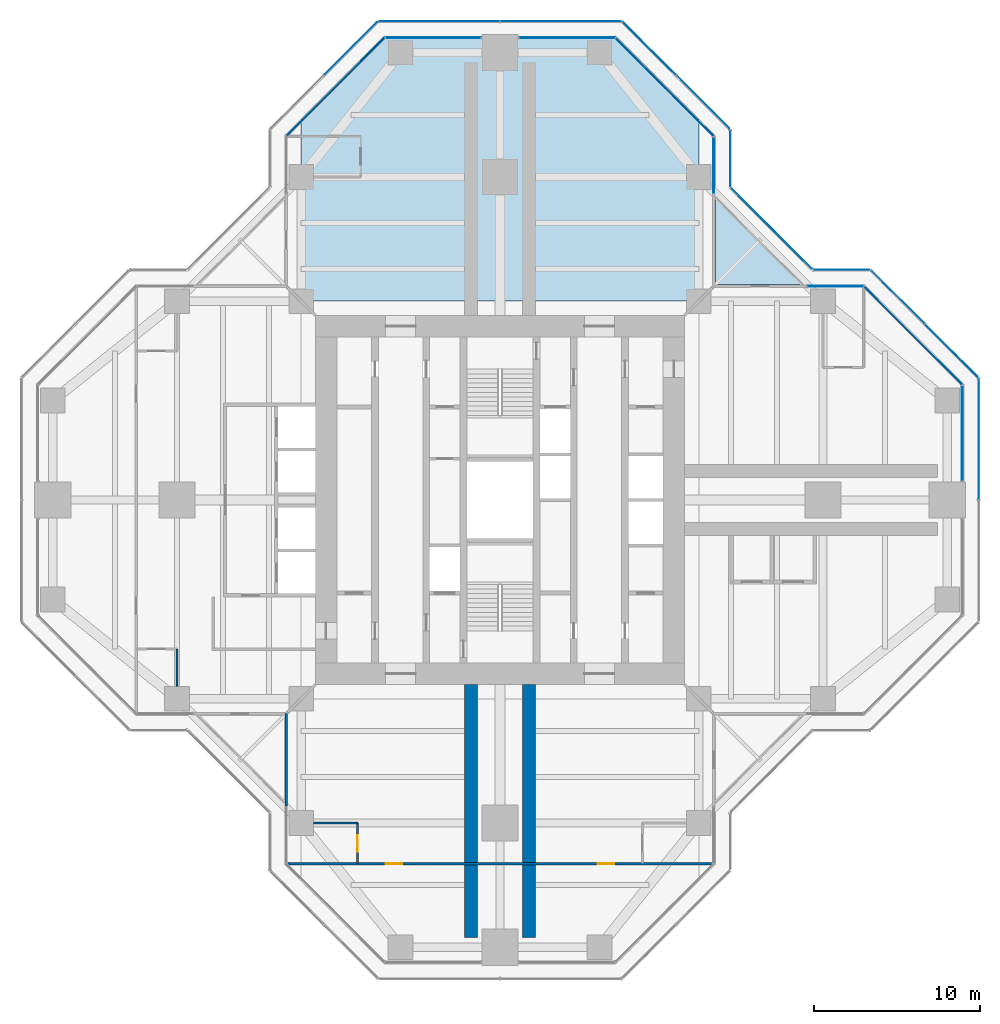
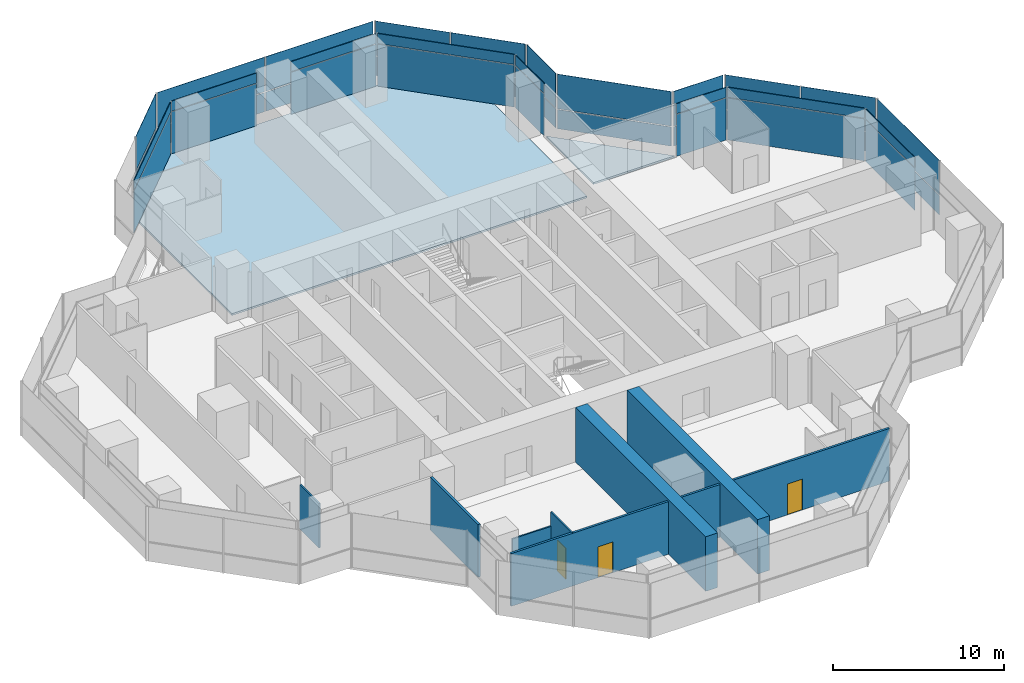
# One storey, part 12 of 17: 38 plates, 7 walls, 3 doors, 2 slabs, 3 openings, 16 elements without a shape of their own.
"""IFC4 building model written with IfcOpenShell, lengths in metres."""

from ifc_helpers import new_model, si_unit, direction, frame, frame_2d, origin, origin_2d, place, context, subcontext, project, spatial, polyline, rectangle, outline, extrude, material, layer, layer_set, type_object, element, fill, aggregate, save


model = new_model("IFC4")

# Units and contexts
model_context = context("Model", 3, precision=1e-05, world=origin(), true_north=direction((0.0, 1.0)))
body_context = subcontext(model_context, "Body", "Model", "MODEL_VIEW")
ifc_project = project(units=[si_unit("LENGTHUNIT", "METRE"), si_unit("AREAUNIT", "SQUARE_METRE"), si_unit("VOLUMEUNIT", "CUBIC_METRE"), si_unit("PLANEANGLEUNIT", "RADIAN"), si_unit("MASSUNIT", "GRAM", prefix="KILO")], contexts=[model_context])

# Site, building, storey
site_placement = place(None, origin())
site = spatial("IfcSite", under=ifc_project, at=site_placement, CompositionType="ELEMENT")
building_placement = place(site_placement, origin())
building = spatial("IfcBuilding", under=site, at=building_placement, Name="Mizan Broadcast Tower", CompositionType="ELEMENT")
storey_placement = place(building_placement, frame((0.0, 0.0, 247.800048828125)))
storey = spatial("IfcBuildingStorey", under=building, at=storey_placement, Name="L58", CompositionType="ELEMENT", Elevation=247.800048828125)

# Slab
ifc_material_1 = material(Name="Concrete C32/40", Category="concrete")
ifc_layer_1 = layer(ifc_material_1, 0.1298828125)
ifc_layer_set_1 = layer_set([ifc_layer_1], Name="Concrete C32/40")
slab_type_1 = type_object("IfcSlabType", Name="COMPOSITE DECK SLAB 130", PredefinedType="FLOOR", material=ifc_layer_set_1)
slab_1_placement = place(storey_placement, frame((0.0, 0.0, -0.130126953125)))
element("IfcSlab", 1, at=slab_1_placement, inside=storey, type_object=slab_type_1, Name="Floor slab L58 north arm", PredefinedType="FLOOR", context=body_context, shape_type="SweptSolid", body=[
    extrude(outline(polyline([(-7.0, 28.0), (-12.0, 23.0), (-12.0, 12.0), (12.0, 12.0), (12.0, 23.0), (7.0, 28.0), (-7.0, 28.0)])), origin(), (0.0, 0.0, 1.0), 0.130126953125),
])

# Curtain wall, plate
ifc_material_2 = material(Name="Aluminium framed glazing", Category="aluminium")
curtain_wall_type_1 = type_object("IfcCurtainWallType", Name="INNER SKIN HIGH ZONE", PredefinedType="USERDEFINED", material=ifc_material_2)
curtain_wall_1_placement = place(storey_placement, origin())
curtain_wall_1 = element("IfcCurtainWall", 2, at=curtain_wall_1_placement, inside=storey, type_object=curtain_wall_type_1, Name="Inner skin high zone L58 E end", ObjectType="INNER SKIN HIGH ZONE", PredefinedType="USERDEFINED")
ifc_material_3 = material(Name="Double glazing, clear low-e", Category="glass")
ifc_layer_2 = layer(ifc_material_3, 0.028076171875)
ifc_layer_set_2 = layer_set([ifc_layer_2], Name="Double glazing, clear low-e")
plate_type_1 = type_object("IfcPlateType", Name="INNER SKIN GLAZING UNIT", PredefinedType="CURTAIN_PANEL", material=ifc_layer_set_2)
plate_1_placement = place(storey_placement, frame((27.89990234375, 4.029296875, 0.0), z_axis=(0.0, 0.0, 1.0), x_axis=(0.0, 1.0, 0.0)))
plate_1 = element("IfcPlate", 3, at=plate_1_placement, type_object=plate_type_1, Name="Inner skin high zone L58 E end panel 1.1", PredefinedType="CURTAIN_PANEL", context=body_context, shape_type="SweptSolid", body=[
    extrude(rectangle(XDim=5.738525390625, YDim=0.028076171875, at=origin_2d()), origin(), (0.0, 0.0, 1.0), 3.0),
])

curtain_wall_2_placement = place(storey_placement, origin())
curtain_wall_2 = element("IfcCurtainWall", 4, at=curtain_wall_2_placement, inside=storey, type_object=curtain_wall_type_1, Name="Inner skin high zone L58 E chamfer", ObjectType="INNER SKIN HIGH ZONE", PredefinedType="USERDEFINED")
plate_2_placement = place(storey_placement, frame((24.92919921875, 9.92919921875, 0.0), z_axis=(0.0, 0.0, 1.0), x_axis=(-0.707106781187, 0.707106781187, 0.0)))
plate_2 = element("IfcPlate", 5, at=plate_2_placement, type_object=plate_type_1, Name="Inner skin high zone L58 E chamfer panel 1.1", PredefinedType="CURTAIN_PANEL", context=body_context, shape_type="SweptSolid", body=[
    extrude(rectangle(XDim=8.282470703125, YDim=0.028076171875, at=origin_2d()), origin(), (0.0, 0.0, 1.0), 3.0),
])

curtain_wall_3_placement = place(storey_placement, origin())
curtain_wall_3 = element("IfcCurtainWall", 6, at=curtain_wall_3_placement, inside=storey, type_object=curtain_wall_type_1, Name="Inner skin high zone L58 E side", ObjectType="INNER SKIN HIGH ZONE", PredefinedType="USERDEFINED")
plate_3_placement = place(storey_placement, frame((20.229248046875, 12.89990234375, 0.0), z_axis=(0.0, 0.0, 1.0), x_axis=(-1.0, 0.0, 0.0)))
plate_3 = element("IfcPlate", 7, at=plate_3_placement, type_object=plate_type_1, Name="Inner skin high zone L58 E side panel 1.1", PredefinedType="CURTAIN_PANEL", context=body_context, shape_type="SweptSolid", body=[
    extrude(rectangle(XDim=3.338623046875, YDim=0.028076171875, at=origin_2d()), origin(), (0.0, 0.0, 1.0), 3.0),
])

curtain_wall_4_placement = place(storey_placement, origin())
curtain_wall_4 = element("IfcCurtainWall", 8, at=curtain_wall_4_placement, inside=storey, type_object=curtain_wall_type_1, Name="Inner skin high zone L58 N side", ObjectType="INNER SKIN HIGH ZONE", PredefinedType="USERDEFINED")
plate_4_placement = place(storey_placement, frame((12.89990234375, 20.229248046875, 0.0), z_axis=(0.0, 0.0, 1.0), x_axis=(0.0, 1.0, 0.0)))
plate_4 = element("IfcPlate", 9, at=plate_4_placement, type_object=plate_type_1, Name="Inner skin high zone L58 N side panel 1.1", PredefinedType="CURTAIN_PANEL", context=body_context, shape_type="SweptSolid", body=[
    extrude(rectangle(XDim=3.338623046875, YDim=0.028076171875, at=origin_2d()), origin(), (0.0, 0.0, 1.0), 3.0),
])

curtain_wall_5_placement = place(storey_placement, origin())
curtain_wall_5 = element("IfcCurtainWall", 10, at=curtain_wall_5_placement, inside=storey, type_object=curtain_wall_type_1, Name="Inner skin high zone L58 N chamfer", ObjectType="INNER SKIN HIGH ZONE", PredefinedType="USERDEFINED")
plate_5_placement = place(storey_placement, frame((9.92919921875, 24.92919921875, 0.0), z_axis=(0.0, 0.0, 1.0), x_axis=(-0.707106781187, 0.707106781187, 0.0)))
plate_5 = element("IfcPlate", 11, at=plate_5_placement, type_object=plate_type_1, Name="Inner skin high zone L58 N chamfer panel 1.1", PredefinedType="CURTAIN_PANEL", context=body_context, shape_type="SweptSolid", body=[
    extrude(rectangle(XDim=8.282470703125, YDim=0.028076171875, at=origin_2d()), origin(), (0.0, 0.0, 1.0), 3.0),
])

curtain_wall_6_placement = place(storey_placement, origin())
curtain_wall_6 = element("IfcCurtainWall", 12, at=curtain_wall_6_placement, inside=storey, type_object=curtain_wall_type_1, Name="Inner skin high zone L58 N end", ObjectType="INNER SKIN HIGH ZONE", PredefinedType="USERDEFINED")
plate_6_placement = place(storey_placement, frame((4.029296875, 27.89990234375, 0.0), z_axis=(0.0, 0.0, 1.0), x_axis=(-1.0, 0.0, 0.0)))
plate_6 = element("IfcPlate", 13, at=plate_6_placement, type_object=plate_type_1, Name="Inner skin high zone L58 N end panel 1.1", PredefinedType="CURTAIN_PANEL", context=body_context, shape_type="SweptSolid", body=[
    extrude(rectangle(XDim=5.738525390625, YDim=0.028076171875, at=origin_2d()), origin(), (0.0, 0.0, 1.0), 3.0),
])

curtain_wall_7_placement = place(storey_placement, origin())
curtain_wall_7 = element("IfcCurtainWall", 14, at=curtain_wall_7_placement, inside=storey, type_object=curtain_wall_type_1, Name="Inner skin high zone L58 N end", ObjectType="INNER SKIN HIGH ZONE", PredefinedType="USERDEFINED")
plate_7_placement = place(storey_placement, frame((-4.029296875, 27.89990234375, 0.0), z_axis=(0.0, 0.0, 1.0), x_axis=(-1.0, 0.0, 0.0)))
plate_7 = element("IfcPlate", 15, at=plate_7_placement, type_object=plate_type_1, Name="Inner skin high zone L58 N end panel 1.1", PredefinedType="CURTAIN_PANEL", context=body_context, shape_type="SweptSolid", body=[
    extrude(rectangle(XDim=5.738525390625, YDim=0.028076171875, at=origin_2d()), origin(), (0.0, 0.0, 1.0), 3.0),
])

curtain_wall_8_placement = place(storey_placement, origin())
curtain_wall_8 = element("IfcCurtainWall", 16, at=curtain_wall_8_placement, inside=storey, type_object=curtain_wall_type_1, Name="Inner skin high zone L58 N chamfer", ObjectType="INNER SKIN HIGH ZONE", PredefinedType="USERDEFINED")
plate_8_placement = place(storey_placement, frame((-9.92919921875, 24.92919921875, 0.0), z_axis=(0.0, 0.0, 1.0), x_axis=(-0.707106781187, -0.707106781187, 0.0)))
plate_8 = element("IfcPlate", 17, at=plate_8_placement, type_object=plate_type_1, Name="Inner skin high zone L58 N chamfer panel 1.1", PredefinedType="CURTAIN_PANEL", context=body_context, shape_type="SweptSolid", body=[
    extrude(rectangle(XDim=8.282470703125, YDim=0.028076171875, at=origin_2d()), origin(), (0.0, 0.0, 1.0), 3.0),
])

# Plate
ifc_material_4 = material(Name="Insulated aluminium spandrel panel, pale anodised", Category="aluminium")
ifc_layer_3 = layer(ifc_material_4, 0.050048828125)
ifc_layer_set_3 = layer_set([ifc_layer_3], Name="Insulated aluminium spandrel panel, pale anodised")
plate_type_2 = type_object("IfcPlateType", Name="INNER SKIN SPANDREL PANEL", PredefinedType="CURTAIN_PANEL", material=ifc_layer_set_3)
plate_9_placement = place(storey_placement, frame((27.89990234375, 4.029296875, 3.06005859375), z_axis=(0.0, 0.0, 1.0), x_axis=(0.0, 1.0, 0.0)))
plate_9 = element("IfcPlate", 18, at=plate_9_placement, type_object=plate_type_2, Name="Inner skin high zone L58 E end panel 1.2", PredefinedType="CURTAIN_PANEL", context=body_context, shape_type="SweptSolid", body=[
    extrude(rectangle(XDim=5.738525390625, YDim=0.050048828125, at=origin_2d()), origin(), (0.0, 0.0, 1.0), 0.7099609375),
])

aggregate(curtain_wall_1, [plate_1, plate_9])

plate_10_placement = place(storey_placement, frame((24.92919921875, 9.92919921875, 3.06005859375), z_axis=(0.0, 0.0, 1.0), x_axis=(-0.707106781187, 0.707106781187, 0.0)))
plate_10 = element("IfcPlate", 19, at=plate_10_placement, type_object=plate_type_2, Name="Inner skin high zone L58 E chamfer panel 1.2", PredefinedType="CURTAIN_PANEL", context=body_context, shape_type="SweptSolid", body=[
    extrude(rectangle(XDim=8.282470703125, YDim=0.050048828125, at=origin_2d()), origin(), (0.0, 0.0, 1.0), 0.7099609375),
])

aggregate(curtain_wall_2, [plate_2, plate_10])

plate_11_placement = place(storey_placement, frame((20.229248046875, 12.89990234375, 3.06005859375), z_axis=(0.0, 0.0, 1.0), x_axis=(-1.0, 0.0, 0.0)))
plate_11 = element("IfcPlate", 20, at=plate_11_placement, type_object=plate_type_2, Name="Inner skin high zone L58 E side panel 1.2", PredefinedType="CURTAIN_PANEL", context=body_context, shape_type="SweptSolid", body=[
    extrude(rectangle(XDim=3.338623046875, YDim=0.050048828125, at=origin_2d()), origin(), (0.0, 0.0, 1.0), 0.7099609375),
])

aggregate(curtain_wall_3, [plate_3, plate_11])

plate_12_placement = place(storey_placement, frame((12.89990234375, 20.229248046875, 3.06005859375), z_axis=(0.0, 0.0, 1.0), x_axis=(0.0, 1.0, 0.0)))
plate_12 = element("IfcPlate", 21, at=plate_12_placement, type_object=plate_type_2, Name="Inner skin high zone L58 N side panel 1.2", PredefinedType="CURTAIN_PANEL", context=body_context, shape_type="SweptSolid", body=[
    extrude(rectangle(XDim=3.338623046875, YDim=0.050048828125, at=origin_2d()), origin(), (0.0, 0.0, 1.0), 0.7099609375),
])

aggregate(curtain_wall_4, [plate_4, plate_12])

plate_13_placement = place(storey_placement, frame((9.92919921875, 24.92919921875, 3.06005859375), z_axis=(0.0, 0.0, 1.0), x_axis=(-0.707106781187, 0.707106781187, 0.0)))
plate_13 = element("IfcPlate", 22, at=plate_13_placement, type_object=plate_type_2, Name="Inner skin high zone L58 N chamfer panel 1.2", PredefinedType="CURTAIN_PANEL", context=body_context, shape_type="SweptSolid", body=[
    extrude(rectangle(XDim=8.282470703125, YDim=0.050048828125, at=origin_2d()), origin(), (0.0, 0.0, 1.0), 0.7099609375),
])

aggregate(curtain_wall_5, [plate_5, plate_13])

plate_14_placement = place(storey_placement, frame((4.029296875, 27.89990234375, 3.06005859375), z_axis=(0.0, 0.0, 1.0), x_axis=(-1.0, 0.0, 0.0)))
plate_14 = element("IfcPlate", 23, at=plate_14_placement, type_object=plate_type_2, Name="Inner skin high zone L58 N end panel 1.2", PredefinedType="CURTAIN_PANEL", context=body_context, shape_type="SweptSolid", body=[
    extrude(rectangle(XDim=5.738525390625, YDim=0.050048828125, at=origin_2d()), origin(), (0.0, 0.0, 1.0), 0.7099609375),
])

aggregate(curtain_wall_6, [plate_6, plate_14])

plate_15_placement = place(storey_placement, frame((-4.029296875, 27.89990234375, 3.06005859375), z_axis=(0.0, 0.0, 1.0), x_axis=(-1.0, 0.0, 0.0)))
plate_15 = element("IfcPlate", 24, at=plate_15_placement, type_object=plate_type_2, Name="Inner skin high zone L58 N end panel 1.2", PredefinedType="CURTAIN_PANEL", context=body_context, shape_type="SweptSolid", body=[
    extrude(rectangle(XDim=5.738525390625, YDim=0.050048828125, at=origin_2d()), origin(), (0.0, 0.0, 1.0), 0.7099609375),
])

aggregate(curtain_wall_7, [plate_7, plate_15])

plate_16_placement = place(storey_placement, frame((-9.92919921875, 24.92919921875, 3.06005859375), z_axis=(0.0, 0.0, 1.0), x_axis=(-0.707106781187, -0.707106781187, 0.0)))
plate_16 = element("IfcPlate", 25, at=plate_16_placement, type_object=plate_type_2, Name="Inner skin high zone L58 N chamfer panel 1.2", PredefinedType="CURTAIN_PANEL", context=body_context, shape_type="SweptSolid", body=[
    extrude(rectangle(XDim=8.282470703125, YDim=0.050048828125, at=origin_2d()), origin(), (0.0, 0.0, 1.0), 0.7099609375),
])

aggregate(curtain_wall_8, [plate_8, plate_16])

# Curtain wall, plates
ifc_material_5 = material(Name="Aluminium framed glazing", Category="aluminium")
curtain_wall_type_2 = type_object("IfcCurtainWallType", Name="OUTER SKIN", PredefinedType="USERDEFINED", material=ifc_material_5)
curtain_wall_9_placement = place(storey_placement, origin())
curtain_wall_9 = element("IfcCurtainWall", 26, at=curtain_wall_9_placement, inside=storey, type_object=curtain_wall_type_2, Name="Outer skin L58 E chamfer", ObjectType="OUTER SKIN", PredefinedType="USERDEFINED")
ifc_material_6 = material(Name="Laminated clear glass", Category="glass")
ifc_layer_4 = layer(ifc_material_6, 0.02001953125)
ifc_layer_set_4 = layer_set([ifc_layer_4], Name="Laminated clear glass")
plate_type_3 = type_object("IfcPlateType", Name="OUTER SKIN CLEAR GLASS", PredefinedType="CURTAIN_PANEL", material=ifc_layer_set_4)
plate_17_placement = place(storey_placement, frame((27.254150390625, 9.018798828125, 0.0), z_axis=(0.0, 0.0, 1.0), x_axis=(-0.707106781187, 0.707106781187, 0.0)))
plate_17 = element("IfcPlate", 27, at=plate_17_placement, type_object=plate_type_3, Name="Outer skin L58 E chamfer panel 1.1", PredefinedType="CURTAIN_PANEL", context=body_context, shape_type="SweptSolid", body=[
    extrude(rectangle(XDim=4.495361328125, YDim=0.02001953125, at=origin_2d()), origin(), (0.0, 0.0, 1.0), 1.3701171875),
])
plate_18_placement = place(storey_placement, frame((27.254150390625, 9.018798828125, 1.43017578125), z_axis=(0.0, 0.0, 1.0), x_axis=(-0.707106781187, 0.707106781187, 0.0)))
plate_18 = element("IfcPlate", 28, at=plate_18_placement, type_object=plate_type_3, Name="Outer skin L58 E chamfer panel 1.2", PredefinedType="CURTAIN_PANEL", context=body_context, shape_type="SweptSolid", body=[
    extrude(rectangle(XDim=4.495361328125, YDim=0.02001953125, at=origin_2d()), origin(), (0.0, 0.0, 1.0), 2.469970703125),
])

curtain_wall_10_placement = place(storey_placement, origin())
curtain_wall_10 = element("IfcCurtainWall", 29, at=curtain_wall_10_placement, inside=storey, type_object=curtain_wall_type_2, Name="Outer skin L58 E side", ObjectType="OUTER SKIN", PredefinedType="USERDEFINED")
plate_19_placement = place(storey_placement, frame((20.622802734375, 13.89990234375, 0.0), z_axis=(0.0, 0.0, 1.0), x_axis=(-1.0, 0.0, 0.0)))
plate_19 = element("IfcPlate", 30, at=plate_19_placement, type_object=plate_type_3, Name="Outer skin L58 E side panel 1.1", PredefinedType="CURTAIN_PANEL", context=body_context, shape_type="SweptSolid", body=[
    extrude(rectangle(XDim=3.340087890625, YDim=0.02001953125, at=origin_2d()), origin(), (0.0, 0.0, 1.0), 1.3701171875),
])
plate_20_placement = place(storey_placement, frame((20.622802734375, 13.89990234375, 1.43017578125), z_axis=(0.0, 0.0, 1.0), x_axis=(-1.0, 0.0, 0.0)))
plate_20 = element("IfcPlate", 31, at=plate_20_placement, type_object=plate_type_3, Name="Outer skin L58 E side panel 1.2", PredefinedType="CURTAIN_PANEL", context=body_context, shape_type="SweptSolid", body=[
    extrude(rectangle(XDim=3.340087890625, YDim=0.02001953125, at=origin_2d()), origin(), (0.0, 0.0, 1.0), 2.469970703125),
])
aggregate(curtain_wall_10, [plate_19, plate_20])

curtain_wall_11_placement = place(storey_placement, origin())
curtain_wall_11 = element("IfcCurtainWall", 32, at=curtain_wall_11_placement, inside=storey, type_object=curtain_wall_type_2, Name="Outer skin L58 E chamfer", ObjectType="OUTER SKIN", PredefinedType="USERDEFINED")
plate_21_placement = place(storey_placement, frame((16.386474609375, 16.386474609375, 0.0), z_axis=(0.0, 0.0, 1.0), x_axis=(-0.707106781187, 0.707106781187, 0.0)))
plate_21 = element("IfcPlate", 33, at=plate_21_placement, type_object=plate_type_3, Name="Outer skin L58 E chamfer panel 1.1", PredefinedType="CURTAIN_PANEL", context=body_context, shape_type="SweptSolid", body=[
    extrude(rectangle(XDim=6.87255859375, YDim=0.02001953125, at=origin_2d()), origin(), (0.0, 0.0, 1.0), 1.3701171875),
])
plate_22_placement = place(storey_placement, frame((16.386474609375, 16.386474609375, 1.43017578125), z_axis=(0.0, 0.0, 1.0), x_axis=(-0.707106781187, 0.707106781187, 0.0)))
plate_22 = element("IfcPlate", 34, at=plate_22_placement, type_object=plate_type_3, Name="Outer skin L58 E chamfer panel 1.2", PredefinedType="CURTAIN_PANEL", context=body_context, shape_type="SweptSolid", body=[
    extrude(rectangle(XDim=6.87255859375, YDim=0.02001953125, at=origin_2d()), origin(), (0.0, 0.0, 1.0), 2.469970703125),
])
aggregate(curtain_wall_11, [plate_21, plate_22])

curtain_wall_12_placement = place(storey_placement, origin())
curtain_wall_12 = element("IfcCurtainWall", 35, at=curtain_wall_12_placement, inside=storey, type_object=curtain_wall_type_2, Name="Outer skin L58 N side", ObjectType="OUTER SKIN", PredefinedType="USERDEFINED")
plate_23_placement = place(storey_placement, frame((13.89990234375, 20.622802734375, 0.0), z_axis=(0.0, 0.0, 1.0), x_axis=(0.0, 1.0, 0.0)))
plate_23 = element("IfcPlate", 36, at=plate_23_placement, type_object=plate_type_3, Name="Outer skin L58 N side panel 1.1", PredefinedType="CURTAIN_PANEL", context=body_context, shape_type="SweptSolid", body=[
    extrude(rectangle(XDim=3.340087890625, YDim=0.02001953125, at=origin_2d()), origin(), (0.0, 0.0, 1.0), 1.3701171875),
])
plate_24_placement = place(storey_placement, frame((13.89990234375, 20.622802734375, 1.43017578125), z_axis=(0.0, 0.0, 1.0), x_axis=(0.0, 1.0, 0.0)))
plate_24 = element("IfcPlate", 37, at=plate_24_placement, type_object=plate_type_3, Name="Outer skin L58 N side panel 1.2", PredefinedType="CURTAIN_PANEL", context=body_context, shape_type="SweptSolid", body=[
    extrude(rectangle(XDim=3.340087890625, YDim=0.02001953125, at=origin_2d()), origin(), (0.0, 0.0, 1.0), 2.469970703125),
])
aggregate(curtain_wall_12, [plate_23, plate_24])

curtain_wall_13_placement = place(storey_placement, origin())
curtain_wall_13 = element("IfcCurtainWall", 38, at=curtain_wall_13_placement, inside=storey, type_object=curtain_wall_type_2, Name="Outer skin L58 N chamfer", ObjectType="OUTER SKIN", PredefinedType="USERDEFINED")
plate_25_placement = place(storey_placement, frame((12.254150390625, 24.018798828125, 0.0), z_axis=(0.0, 0.0, 1.0), x_axis=(-0.707106781187, 0.707106781187, 0.0)))
plate_25 = element("IfcPlate", 39, at=plate_25_placement, type_object=plate_type_3, Name="Outer skin L58 N chamfer panel 1.1", PredefinedType="CURTAIN_PANEL", context=body_context, shape_type="SweptSolid", body=[
    extrude(rectangle(XDim=4.495361328125, YDim=0.02001953125, at=origin_2d()), origin(), (0.0, 0.0, 1.0), 1.3701171875),
])
plate_26_placement = place(storey_placement, frame((12.254150390625, 24.018798828125, 1.43017578125), z_axis=(0.0, 0.0, 1.0), x_axis=(-0.707106781187, 0.707106781187, 0.0)))
plate_26 = element("IfcPlate", 40, at=plate_26_placement, type_object=plate_type_3, Name="Outer skin L58 N chamfer panel 1.2", PredefinedType="CURTAIN_PANEL", context=body_context, shape_type="SweptSolid", body=[
    extrude(rectangle(XDim=4.495361328125, YDim=0.02001953125, at=origin_2d()), origin(), (0.0, 0.0, 1.0), 2.469970703125),
])

curtain_wall_14_placement = place(storey_placement, origin())
curtain_wall_14 = element("IfcCurtainWall", 41, at=curtain_wall_14_placement, inside=storey, type_object=curtain_wall_type_2, Name="Outer skin L58 N end", ObjectType="OUTER SKIN", PredefinedType="USERDEFINED")
plate_27_placement = place(storey_placement, frame((3.66650390625, 28.89990234375, 0.0), z_axis=(0.0, 0.0, 1.0), x_axis=(-1.0, 0.0, 0.0)))
plate_27 = element("IfcPlate", 42, at=plate_27_placement, type_object=plate_type_3, Name="Outer skin L58 N end panel 1.1", PredefinedType="CURTAIN_PANEL", context=body_context, shape_type="SweptSolid", body=[
    extrude(rectangle(XDim=7.252685546875, YDim=0.02001953125, at=origin_2d()), origin(), (0.0, 0.0, 1.0), 1.3701171875),
])
plate_28_placement = place(storey_placement, frame((3.66650390625, 28.89990234375, 1.43017578125), z_axis=(0.0, 0.0, 1.0), x_axis=(-1.0, 0.0, 0.0)))
plate_28 = element("IfcPlate", 43, at=plate_28_placement, type_object=plate_type_3, Name="Outer skin L58 N end panel 1.2", PredefinedType="CURTAIN_PANEL", context=body_context, shape_type="SweptSolid", body=[
    extrude(rectangle(XDim=7.252685546875, YDim=0.02001953125, at=origin_2d()), origin(), (0.0, 0.0, 1.0), 2.469970703125),
])
plate_29_placement = place(storey_placement, frame((-3.66650390625, 28.89990234375, 0.0), z_axis=(0.0, 0.0, 1.0), x_axis=(-1.0, 0.0, 0.0)))
plate_29 = element("IfcPlate", 44, at=plate_29_placement, type_object=plate_type_3, Name="Outer skin L58 N end panel 2.1", PredefinedType="CURTAIN_PANEL", context=body_context, shape_type="SweptSolid", body=[
    extrude(rectangle(XDim=7.252685546875, YDim=0.02001953125, at=origin_2d()), origin(), (0.0, 0.0, 1.0), 1.3701171875),
])
plate_30_placement = place(storey_placement, frame((-3.66650390625, 28.89990234375, 1.43017578125), z_axis=(0.0, 0.0, 1.0), x_axis=(-1.0, 0.0, 0.0)))
plate_30 = element("IfcPlate", 45, at=plate_30_placement, type_object=plate_type_3, Name="Outer skin L58 N end panel 2.2", PredefinedType="CURTAIN_PANEL", context=body_context, shape_type="SweptSolid", body=[
    extrude(rectangle(XDim=7.252685546875, YDim=0.02001953125, at=origin_2d()), origin(), (0.0, 0.0, 1.0), 2.469970703125),
])
aggregate(curtain_wall_14, [plate_27, plate_28, plate_29, plate_30])

curtain_wall_15_placement = place(storey_placement, origin())
curtain_wall_15 = element("IfcCurtainWall", 46, at=curtain_wall_15_placement, inside=storey, type_object=curtain_wall_type_2, Name="Outer skin L58 N chamfer", ObjectType="OUTER SKIN", PredefinedType="USERDEFINED")
plate_31_placement = place(storey_placement, frame((-9.018798828125, 27.254150390625, 0.0), z_axis=(0.0, 0.0, 1.0), x_axis=(-0.707106781187, -0.707106781187, 0.0)))
plate_31 = element("IfcPlate", 47, at=plate_31_placement, type_object=plate_type_3, Name="Outer skin L58 N chamfer panel 1.1", PredefinedType="CURTAIN_PANEL", context=body_context, shape_type="SweptSolid", body=[
    extrude(rectangle(XDim=4.495361328125, YDim=0.02001953125, at=origin_2d()), origin(), (0.0, 0.0, 1.0), 1.3701171875),
])
plate_32_placement = place(storey_placement, frame((-9.018798828125, 27.254150390625, 1.43017578125), z_axis=(0.0, 0.0, 1.0), x_axis=(-0.707106781187, -0.707106781187, 0.0)))
plate_32 = element("IfcPlate", 48, at=plate_32_placement, type_object=plate_type_3, Name="Outer skin L58 N chamfer panel 1.2", PredefinedType="CURTAIN_PANEL", context=body_context, shape_type="SweptSolid", body=[
    extrude(rectangle(XDim=4.495361328125, YDim=0.02001953125, at=origin_2d()), origin(), (0.0, 0.0, 1.0), 2.469970703125),
])
aggregate(curtain_wall_15, [plate_31, plate_32])

curtain_wall_16_placement = place(storey_placement, origin())
curtain_wall_16 = element("IfcCurtainWall", 49, at=curtain_wall_16_placement, inside=storey, type_object=curtain_wall_type_2, Name="Outer skin L58 E end", ObjectType="OUTER SKIN", PredefinedType="USERDEFINED")
ifc_material_7 = material(Name="Perforated aluminium, pale anodised", Category="aluminium")
ifc_layer_5 = layer(ifc_material_7, 0.011962890625)
ifc_layer_set_5 = layer_set([ifc_layer_5], Name="Perforated aluminium, pale anodised")
plate_type_4 = type_object("IfcPlateType", Name="OUTER SKIN PERFORATED SCREEN", PredefinedType="USERDEFINED", material=ifc_layer_set_5)
plate_33_placement = place(storey_placement, frame((28.89990234375, 3.66650390625, 0.0), z_axis=(0.0, 0.0, 1.0), x_axis=(0.0, 1.0, 0.0)))
plate_33 = element("IfcPlate", 50, at=plate_33_placement, type_object=plate_type_4, Name="Outer skin L58 E end panel 2.1", ObjectType="SCREEN", PredefinedType="USERDEFINED", context=body_context, shape_type="SweptSolid", body=[
    extrude(rectangle(XDim=7.252685546875, YDim=0.011962890625, at=origin_2d()), origin(), (0.0, 0.0, 1.0), 1.3701171875),
])
plate_34_placement = place(storey_placement, frame((28.89990234375, 3.66650390625, 1.43017578125), z_axis=(0.0, 0.0, 1.0), x_axis=(0.0, 1.0, 0.0)))
plate_34 = element("IfcPlate", 51, at=plate_34_placement, type_object=plate_type_4, Name="Outer skin L58 E end panel 2.2", ObjectType="SCREEN", PredefinedType="USERDEFINED", context=body_context, shape_type="SweptSolid", body=[
    extrude(rectangle(XDim=7.252685546875, YDim=0.011962890625, at=origin_2d()), origin(), (0.0, 0.0, 1.0), 2.469970703125),
])
aggregate(curtain_wall_16, [plate_33, plate_34])

# Plate
plate_35_placement = place(storey_placement, frame((24.018798828125, 12.254150390625, 0.0), z_axis=(0.0, 0.0, 1.0), x_axis=(-0.707106781187, 0.707106781187, 0.0)))
plate_35 = element("IfcPlate", 52, at=plate_35_placement, type_object=plate_type_4, Name="Outer skin L58 E chamfer panel 2.1", ObjectType="SCREEN", PredefinedType="USERDEFINED", context=body_context, shape_type="SweptSolid", body=[
    extrude(rectangle(XDim=4.495361328125, YDim=0.011962890625, at=origin_2d()), origin(), (0.0, 0.0, 1.0), 1.3701171875),
])

plate_36_placement = place(storey_placement, frame((24.018798828125, 12.254150390625, 1.43017578125), z_axis=(0.0, 0.0, 1.0), x_axis=(-0.707106781187, 0.707106781187, 0.0)))
plate_36 = element("IfcPlate", 53, at=plate_36_placement, type_object=plate_type_4, Name="Outer skin L58 E chamfer panel 2.2", ObjectType="SCREEN", PredefinedType="USERDEFINED", context=body_context, shape_type="SweptSolid", body=[
    extrude(rectangle(XDim=4.495361328125, YDim=0.011962890625, at=origin_2d()), origin(), (0.0, 0.0, 1.0), 2.469970703125),
])

aggregate(curtain_wall_9, [plate_17, plate_18, plate_35, plate_36])

plate_37_placement = place(storey_placement, frame((9.018798828125, 27.254150390625, 0.0), z_axis=(0.0, 0.0, 1.0), x_axis=(-0.707106781187, 0.707106781187, 0.0)))
plate_37 = element("IfcPlate", 54, at=plate_37_placement, type_object=plate_type_4, Name="Outer skin L58 N chamfer panel 2.1", ObjectType="SCREEN", PredefinedType="USERDEFINED", context=body_context, shape_type="SweptSolid", body=[
    extrude(rectangle(XDim=4.495361328125, YDim=0.011962890625, at=origin_2d()), origin(), (0.0, 0.0, 1.0), 1.3701171875),
])

plate_38_placement = place(storey_placement, frame((9.018798828125, 27.254150390625, 1.43017578125), z_axis=(0.0, 0.0, 1.0), x_axis=(-0.707106781187, 0.707106781187, 0.0)))
plate_38 = element("IfcPlate", 55, at=plate_38_placement, type_object=plate_type_4, Name="Outer skin L58 N chamfer panel 2.2", ObjectType="SCREEN", PredefinedType="USERDEFINED", context=body_context, shape_type="SweptSolid", body=[
    extrude(rectangle(XDim=4.495361328125, YDim=0.011962890625, at=origin_2d()), origin(), (0.0, 0.0, 1.0), 2.469970703125),
])

aggregate(curtain_wall_13, [plate_25, plate_26, plate_37, plate_38])

# Slab
ifc_material_8 = material(Name="Concrete C32/40", Category="concrete")
ifc_layer_6 = layer(ifc_material_8, 0.1298828125)
ifc_layer_set_6 = layer_set([ifc_layer_6], Name="Concrete C32/40")
slab_type_2 = type_object("IfcSlabType", Name="WINTER GARDEN SLAB 130", PredefinedType="FLOOR", material=ifc_layer_set_6)
slab_2_placement = place(storey_placement, frame((0.0, 0.0, -0.130126953125)))
element("IfcSlab", 56, at=slab_2_placement, inside=storey, type_object=slab_type_2, Name="Winter garden slab L58 E", PredefinedType="FLOOR", context=body_context, shape_type="SweptSolid", body=[
    extrude(outline(polyline([(13.0, 13.0), (18.5, 13.0), (13.0, 18.5), (13.0, 13.0)])), origin(), (0.0, 0.0, 1.0), 0.130126953125),
])

# Wall
ifc_material_9 = material(Name="Aluminium framed glazed screen", Category="aluminium")
ifc_layer_7 = layer(ifc_material_9, 0.159912109375)
ifc_layer_set_7 = layer_set([ifc_layer_7], Name="Aluminium framed glazed screen")
wall_type_1 = type_object("IfcWallType", Name="GLAZED SCREEN WALL 160", PredefinedType="SOLIDWALL", material=ifc_layer_set_7)
wall_1_placement = place(storey_placement, frame((-12.89990234375, -12.89990234375, 0.0), z_axis=(0.0, 0.0, 1.0), x_axis=(0.0, -1.0, 0.0)))
element("IfcWall", 57, at=wall_1_placement, inside=storey, type_object=wall_type_1, Name="Winter garden screen L58 S", PredefinedType="SOLIDWALL", context=body_context, shape_type="SweptSolid", body=[
    extrude(rectangle(XDim=5.60009765625, YDim=0.159912109375, at=frame_2d((2.800048828125, 0.0))), origin(), (0.0, 0.0, 1.0), 3.77001953125),
])

# Wall, openings, doors
ifc_material_10 = material(Name="Gypsum board on steel studs", Category="steel")
ifc_layer_8 = layer(ifc_material_10, 0.14990234375)
ifc_layer_set_8 = layer_set([ifc_layer_8], Name="Gypsum board on steel studs")
wall_type_2 = type_object("IfcWallType", Name="PARTITION 150", PredefinedType="PARTITIONING", material=ifc_layer_set_8)
wall_2_placement = place(storey_placement, frame((-12.786376953125, -21.958984375, 0.0), z_axis=(0.0, 0.0, 1.0), x_axis=(1.0, 0.0, 0.0)))
wall_2 = element("IfcWall", 58, at=wall_2_placement, inside=storey, type_object=wall_type_2, Name="Partition PT/SX1", PredefinedType="PARTITIONING", context=body_context, shape_type="SweptSolid", body=[
    extrude(rectangle(XDim=25.57275390625, YDim=0.14990234375, at=frame_2d((12.786376953125, 0.0))), origin(), (0.0, 0.0, 1.0), 3.77001953125),
])
opening_1_placement = place(wall_2_placement, frame((18.6865234375, 0.0, 0.0)))
opening_1 = element("IfcOpeningElement", 59, at=opening_1_placement, cuts=wall_2, Name="Opening D10", PredefinedType="OPENING", context=body_context, shape_type="SweptSolid", body=[
    extrude(rectangle(XDim=1.0, YDim=2.199951171875, at=frame_2d((0.5, 1.10009765625))), frame((0.0, 0.0849609375, 0.0), z_axis=(0.0, -1.0, 0.0), x_axis=(1.0, 0.0, 0.0)), (0.0, 0.0, 1.0), 0.169921875),
])
opening_2_placement = place(wall_2_placement, frame((5.886474609375, 0.0, 0.0)))
opening_2 = element("IfcOpeningElement", 60, at=opening_2_placement, cuts=wall_2, Name="Opening D10", PredefinedType="OPENING", context=body_context, shape_type="SweptSolid", body=[
    extrude(rectangle(XDim=1.0, YDim=2.199951171875, at=frame_2d((0.5, 1.10009765625))), frame((0.0, 0.0849609375, 0.0), z_axis=(0.0, -1.0, 0.0), x_axis=(1.0, 0.0, 0.0)), (0.0, 0.0, 1.0), 0.169921875),
])
ifc_material_11 = material(Name="Timber door leaf in aluminium frame", Category="wood")
door_type_1 = type_object("IfcDoorType", Name="ROOM DOOR 1000", OperationType="SINGLE_SWING_LEFT", PredefinedType="DOOR", material=ifc_material_11)
door_1_placement = place(opening_1_placement, origin())
door_1 = element("IfcDoor", 61, at=door_1_placement, inside=storey, type_object=door_type_1, Name="Meeting room door", OperationType="SINGLE_SWING_RIGHT", OverallHeight=2.199951171875, OverallWidth=1.0, PredefinedType="DOOR", context=body_context, shape_type="SweptSolid", body=[
    extrude(rectangle(XDim=1.0, YDim=2.199951171875, at=frame_2d((0.5, 1.10009765625))), frame((0.0, 0.02490234375, 0.0), z_axis=(0.0, -1.0, 0.0), x_axis=(1.0, 0.0, 0.0)), (0.0, 0.0, 1.0), 0.050048828125),
])
fill(opening_1, door_1)
door_2_placement = place(opening_2_placement, origin())
door_2 = element("IfcDoor", 62, at=door_2_placement, inside=storey, type_object=door_type_1, Name="Meeting room door", OperationType="SINGLE_SWING_LEFT", OverallHeight=2.199951171875, OverallWidth=1.0, PredefinedType="DOOR", context=body_context, shape_type="SweptSolid", body=[
    extrude(rectangle(XDim=1.0, YDim=2.199951171875, at=frame_2d((0.5, 1.10009765625))), frame((0.0, 0.02490234375, 0.0), z_axis=(0.0, -1.0, 0.0), x_axis=(1.0, 0.0, 0.0)), (0.0, 0.0, 1.0), 0.050048828125),
])
fill(opening_2, door_2)

# Wall
ifc_material_12 = material(Name="Glazed aluminium partition on aluminium track", Category="aluminium")
ifc_layer_9 = layer(ifc_material_12, 0.10009765625)
ifc_layer_set_9 = layer_set([ifc_layer_9], Name="Glazed aluminium partition on aluminium track")
wall_type_3 = type_object("IfcWallType", Name="PARTITION GLAZED OFFICE FRONT 100", PredefinedType="PARTITIONING", material=ifc_layer_set_9)
wall_3_placement = place(storey_placement, frame((-19.5, -9.0, 0.0), z_axis=(0.0, 0.0, 1.0), x_axis=(0.0, -1.0, 0.0)))
element("IfcWall", 63, at=wall_3_placement, inside=storey, type_object=wall_type_3, Name="Glazed office front PT/WQP1950", PredefinedType="PARTITIONING", context=body_context, shape_type="SweptSolid", body=[
    extrude(rectangle(XDim=2.25, YDim=0.10009765625, at=frame_2d((1.125, 0.0))), origin(), (0.0, 0.0, 1.0), 3.179931640625),
])

# Wall, opening, door
wall_4_placement = place(storey_placement, frame((-8.60009765625, -19.5, 0.0), z_axis=(0.0, 0.0, 1.0), x_axis=(0.0, -1.0, 0.0)))
wall_4 = element("IfcWall", 64, at=wall_4_placement, inside=storey, type_object=wall_type_3, Name="Glazed office front PT/SCN0", PredefinedType="PARTITIONING", context=body_context, shape_type="SweptSolid", body=[
    extrude(rectangle(XDim=2.458984375, YDim=0.10009765625, at=frame_2d((1.2294921875, 0.0))), origin(), (0.0, 0.0, 1.0), 3.77001953125),
])
opening_3_placement = place(wall_4_placement, frame((0.7294921875, 0.0, 0.0)))
opening_3 = element("IfcOpeningElement", 65, at=opening_3_placement, cuts=wall_4, Name="Opening D10O", PredefinedType="OPENING", context=body_context, shape_type="SweptSolid", body=[
    extrude(rectangle(XDim=1.0, YDim=2.199951171875, at=frame_2d((0.5, 1.10009765625))), frame((0.0, 0.06005859375, 0.0), z_axis=(0.0, -1.0, 0.0), x_axis=(1.0, 0.0, 0.0)), (0.0, 0.0, 1.0), 0.1201171875),
])
ifc_material_13 = material(Name="Timber door leaf in aluminium frame", Category="wood")
door_type_2 = type_object("IfcDoorType", Name="OFFICE DOOR 1000 GLAZED", OperationType="SINGLE_SWING_LEFT", PredefinedType="DOOR", material=ifc_material_13)
door_3_placement = place(opening_3_placement, origin())
door_3 = element("IfcDoor", 66, at=door_3_placement, inside=storey, type_object=door_type_2, Name="Correspondent's office door", OperationType="SINGLE_SWING_LEFT", OverallHeight=2.199951171875, OverallWidth=1.0, PredefinedType="DOOR", context=body_context, shape_type="SweptSolid", body=[
    extrude(rectangle(XDim=1.0, YDim=2.199951171875, at=frame_2d((0.5, 1.10009765625))), frame((0.0, 0.02490234375, 0.0), z_axis=(0.0, -1.0, 0.0), x_axis=(1.0, 0.0, 0.0)), (0.0, 0.0, 1.0), 0.050048828125),
])
fill(opening_3, door_3)

# Walls
wall_5_placement = place(storey_placement, frame((-8.60009765625, -19.5, 0.0), z_axis=(0.0, 0.0, 1.0), x_axis=(-1.0, 0.0, 0.0)))
element("IfcWall", 67, at=wall_5_placement, inside=storey, type_object=wall_type_3, Name="Glazed office front PT/SQN1950", PredefinedType="PARTITIONING", context=body_context, shape_type="SweptSolid", body=[
    extrude(rectangle(XDim=2.64990234375, YDim=0.10009765625, at=frame_2d((1.324951171875, 0.0))), origin(), (0.0, 0.0, 1.0), 2.77001953125),
])
ifc_material_14 = material(Name="Concrete C70/85", Category="concrete")
ifc_layer_10 = layer(ifc_material_14, 0.800048828125)
ifc_layer_set_10 = layer_set([ifc_layer_10], Name="Concrete C70/85")
wall_type_4 = type_object("IfcWallType", Name="SPINE WALL 800", PredefinedType="SHEAR", material=ifc_layer_set_10)
for number, where, z_axis, x_axis, name in (
    (68, (-1.75, -11.14990234375, 0.0), (0.0, 0.0, 1.0), (0.0, -1.0, 0.0), "Spine wall SR L58"),
    (69, (1.75, -11.14990234375, 0.0), (0.0, 0.0, 1.0), (0.0, -1.0, 0.0), "Spine wall SL L58"),
):
    element("IfcWall", number, at=place(storey_placement, frame(where, z_axis=z_axis, x_axis=x_axis)), inside=storey, type_object=wall_type_4, Name=name, PredefinedType="SHEAR", context=body_context, shape_type="SweptSolid", body=[
        extrude(rectangle(XDim=15.25, YDim=0.800048828125, at=frame_2d((7.625, 0.0))), origin(), (0.0, 0.0, 1.0), 3.89990234375),
    ])

save(model, "model.ifc")
